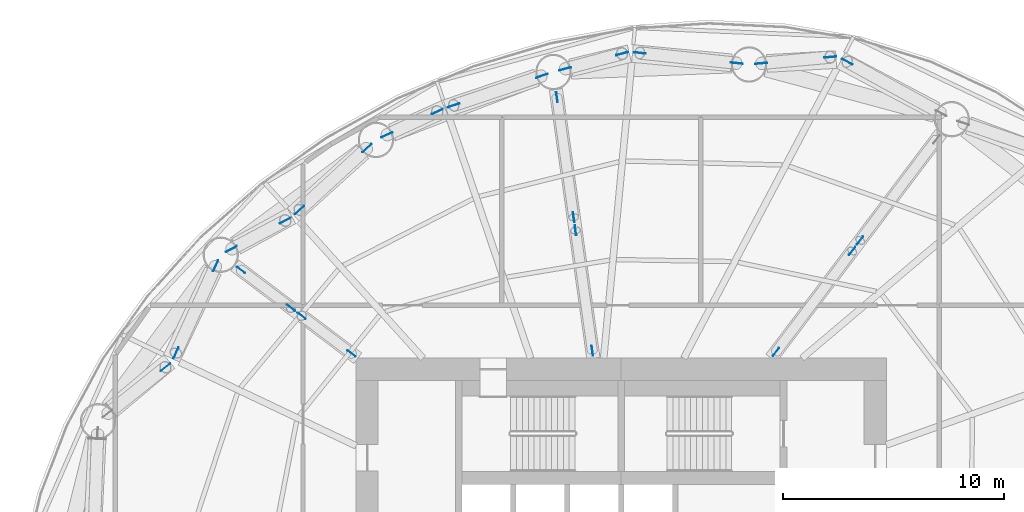
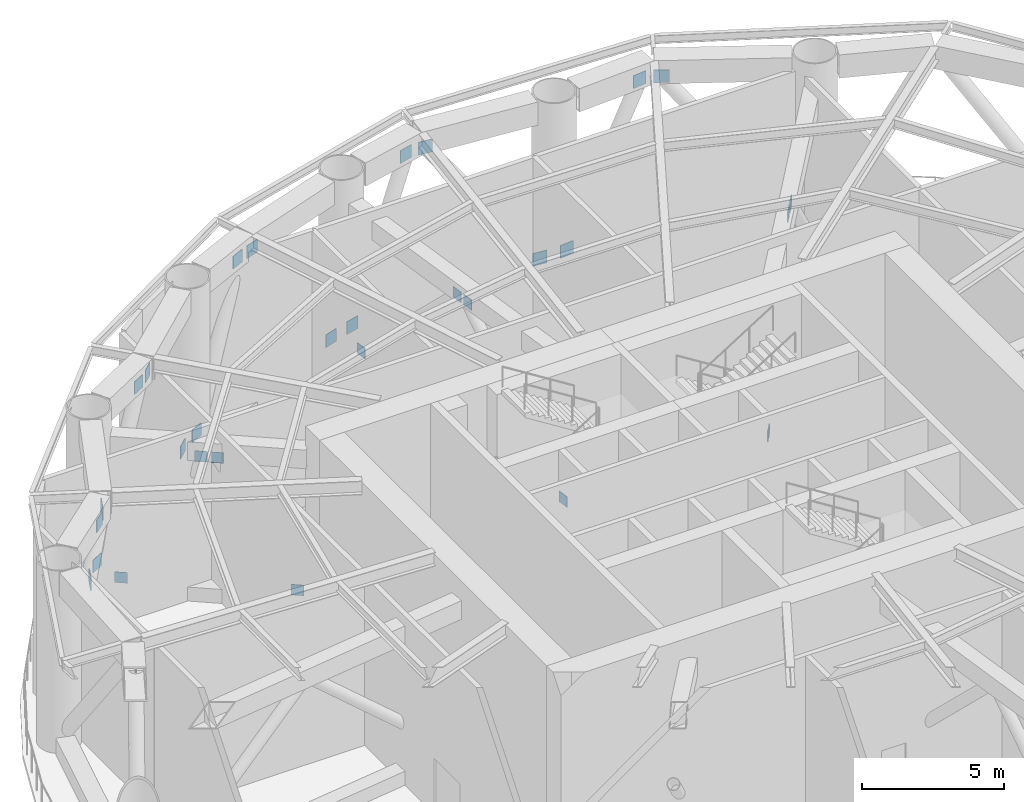
# One storey, part 11 of 15: 29 discrete accessories.
"""IFC4 building model written with IfcOpenShell, lengths in metres."""

from ifc_helpers import new_model, si_unit, direction, frame, origin, origin_2d, place, context, subcontext, project, spatial, rectangle, extrude, element, save


model = new_model("IFC4")

# Units and contexts
model_context = context("Model", 3, precision=1e-05, world=origin(), true_north=direction((0.0, 1.0)))
body_context = subcontext(model_context, "Body", "Model", "MODEL_VIEW")
ifc_project = project(units=[si_unit("LENGTHUNIT", "METRE"), si_unit("AREAUNIT", "SQUARE_METRE"), si_unit("VOLUMEUNIT", "CUBIC_METRE"), si_unit("PLANEANGLEUNIT", "RADIAN"), si_unit("MASSUNIT", "GRAM", prefix="KILO")], contexts=[model_context])

# Site, building, storey
site_placement = place(None, origin())
site = spatial("IfcSite", under=ifc_project, at=site_placement, CompositionType="ELEMENT")
building_placement = place(site_placement, origin())
building = spatial("IfcBuilding", under=site, at=building_placement, Name="Vermilion Reach Broadcast Tower", CompositionType="ELEMENT")
storey_placement = place(building_placement, frame((0.0, 0.0, 135.39990234375)))
storey = spatial("IfcBuildingStorey", under=building, at=storey_placement, Name="L32", CompositionType="ELEMENT", Elevation=135.39990234375)

# Discrete accessories
for number, where, z_axis, x_axis, name in (
    (1, (4.2314453125, 22.419921875, 6.56494140625), (0.0, 0.0, 1.0), (-0.481393987687, -0.876504323218, 0.0), "Gusset plate BT2-D02A head"),
    (2, (0.334228515625, 22.34423828125, 0.52490234375), (0.0, 0.0, 1.0), (-0.09048612768, 0.995897715982, 0.0), "Gusset plate BT2-D02B foot"),
    (3, (3.458984375, 22.628173828125, 6.56494140625), (0.0, 0.0, 1.0), (-0.09048612768, 0.995897715982, 0.0), "Gusset plate BT2-D02B head"),
    (4, (-0.760498046875, 22.35205078125, 0.52490234375), (0.0, 0.0, 1.0), (-0.104727179625, -0.994500989365, 0.0), "Gusset plate BT2-D03A foot"),
    (5, (-5.158447265625, 22.815185546875, 6.56494140625), (0.0, 0.0, 1.0), (-0.104727179625, -0.994500989365, 0.0), "Gusset plate BT2-D03A head"),
    (6, (-8.53466796875, 22.097412109375, 0.52490234375), (0.0, 0.0, 1.0), (-0.257689553871, 0.966227764984, 0.0), "Gusset plate BT2-D03B foot"),
    (7, (-5.9580078125, 22.78466796875, 6.56494140625), (0.0, 0.0, 1.0), (-0.257689553871, 0.966227764984, 0.0), "Gusset plate BT2-D03B head"),
    (8, (-9.587646484375, 21.781005859375, 0.52490234375), (0.0, 0.0, 1.0), (0.317744603637, -0.948176337429, 0.0), "Gusset plate BT2-D04A foot"),
    (9, (-13.578125, 20.443603515625, 6.56494140625), (0.0, 0.0, 1.0), (0.317744603637, -0.948176337429, 0.0), "Gusset plate BT2-D04A head"),
    (10, (-16.60009765625, 19.111083984375, 0.52490234375), (0.0, 0.0, 1.0), (-0.418023535794, 0.908436196726, 0.0), "Gusset plate BT2-D04B foot"),
    (11, (-14.3251953125, 20.15771484375, 6.56494140625), (0.0, 0.0, 1.0), (-0.418023535794, 0.908436196726, 0.0), "Gusset plate BT2-D04B head"),
    (12, (-17.504638671875, 18.509033203125, 0.52490234375), (0.0, 0.0, 1.0), (0.676424917796, -0.736511595689, 0.0), "Gusset plate BT2-D05A foot"),
    (13, (-20.5576171875, 15.705078125, 6.56494140625), (0.0, 0.0, 1.0), (0.676424917796, -0.736511595689, 0.0), "Gusset plate BT2-D05A head"),
    (14, (-23.638427734375, 13.93994140625, 0.52490234375), (0.0, 0.0, 1.0), (-0.467589762536, 0.883945594464, 0.0), "Gusset plate BT2-D05B foot"),
    (15, (-21.20068359375, 15.229248046875, 6.56494140625), (0.0, 0.0, 1.0), (-0.467589762536, 0.883945594464, 0.0), "Gusset plate BT2-D05B head"),
    (16, (-24.3525390625, 13.18212890625, 0.52490234375), (0.0, 0.0, 1.0), (0.910046341946, -0.414506520467, 0.0), "Gusset plate BT2-D06A foot"),
    (17, (-26.15087890625, 9.233642578125, 6.56494140625), (0.0, 0.0, 1.0), (0.910046341946, -0.414506520467, 0.0), "Gusset plate BT2-D06A head"),
    (18, (-26.62548828125, 8.589599609375, 6.56494140625), (0.0, 0.0, 1.0), (-0.62492224011, 0.780687001183, 0.0), "Gusset plate BT2-D06B head"),
):
    element("IfcDiscreteAccessory", number, at=place(storey_placement, frame(where, z_axis=z_axis, x_axis=x_axis)), inside=storey, Name=name, PredefinedType="NOTDEFINED", context=body_context, shape_type="SweptSolid", body=[
        extrude(rectangle(XDim=0.02490234375, YDim=0.550048828125, at=origin_2d()), origin(), (0.0, 0.0, 1.0), 0.550048828125),
    ])
for number, where, z_axis, x_axis, name in (
    (19, (1.005126953125, 9.279296875, 0.37158203125), (0.0, 0.0, 1.0), (-0.798110018854, 0.602511740802, 0.0), "Gusset plate OR2-02-DA foot"),
    (20, (4.45703125, 13.851806640625, 5.821533203125), (0.0, 0.0, 1.0), (-0.798110018854, 0.602511740802, 0.0), "Gusset plate OR2-02-DA head"),
    (21, (4.818603515625, 14.330810546875, 5.821533203125), (0.0, 0.0, 1.0), (-0.798110018854, 0.602511740802, 0.0), "Gusset plate OR2-02-DB head"),
    (22, (-7.30517578125, 9.3466796875, 0.37158203125), (0.0, 0.0, 1.0), (-0.990389140922, -0.138308891772, 0.0), "Gusset plate OR2-04-DA foot"),
    (23, (-8.064697265625, 14.78466796875, 5.821533203125), (0.0, 0.0, 1.0), (-0.990389140922, -0.138308891772, 0.0), "Gusset plate OR2-04-DA head"),
    (24, (-8.906982421875, 20.816650390625, 0.37158203125), (0.0, 0.0, 1.0), (-0.990389140922, -0.138308891772, 0.0), "Gusset plate OR2-04-DB foot"),
    (25, (-8.147705078125, 15.37890625, 5.821533203125), (0.0, 0.0, 1.0), (-0.990389140922, -0.138308891772, 0.0), "Gusset plate OR2-04-DB head"),
    (26, (-18.201171875, 9.2109375, 0.37158203125), (0.0, 0.0, 1.0), (-0.602511728753, -0.79811002795, 0.0), "Gusset plate OR2-06-DA foot"),
    (27, (-20.46435546875, 10.919677734375, 5.821533203125), (0.0, 0.0, 1.0), (-0.602511728753, -0.79811002795, 0.0), "Gusset plate OR2-06-DA head"),
    (28, (-23.206787109375, 12.98974609375, 0.37158203125), (0.0, 0.0, 1.0), (-0.602511728753, -0.79811002795, 0.0), "Gusset plate OR2-06-DB foot"),
    (29, (-20.943359375, 11.281005859375, 5.821533203125), (0.0, 0.0, 1.0), (-0.602511728753, -0.79811002795, 0.0), "Gusset plate OR2-06-DB head"),
):
    element("IfcDiscreteAccessory", number, at=place(storey_placement, frame(where, z_axis=z_axis, x_axis=x_axis)), inside=storey, Name=name, PredefinedType="NOTDEFINED", context=body_context, shape_type="SweptSolid", body=[
        extrude(rectangle(XDim=0.02490234375, YDim=0.45703125, at=origin_2d()), origin(), (0.0, 0.0, 1.0), 0.45703125),
    ])

save(model, "model.ifc")
